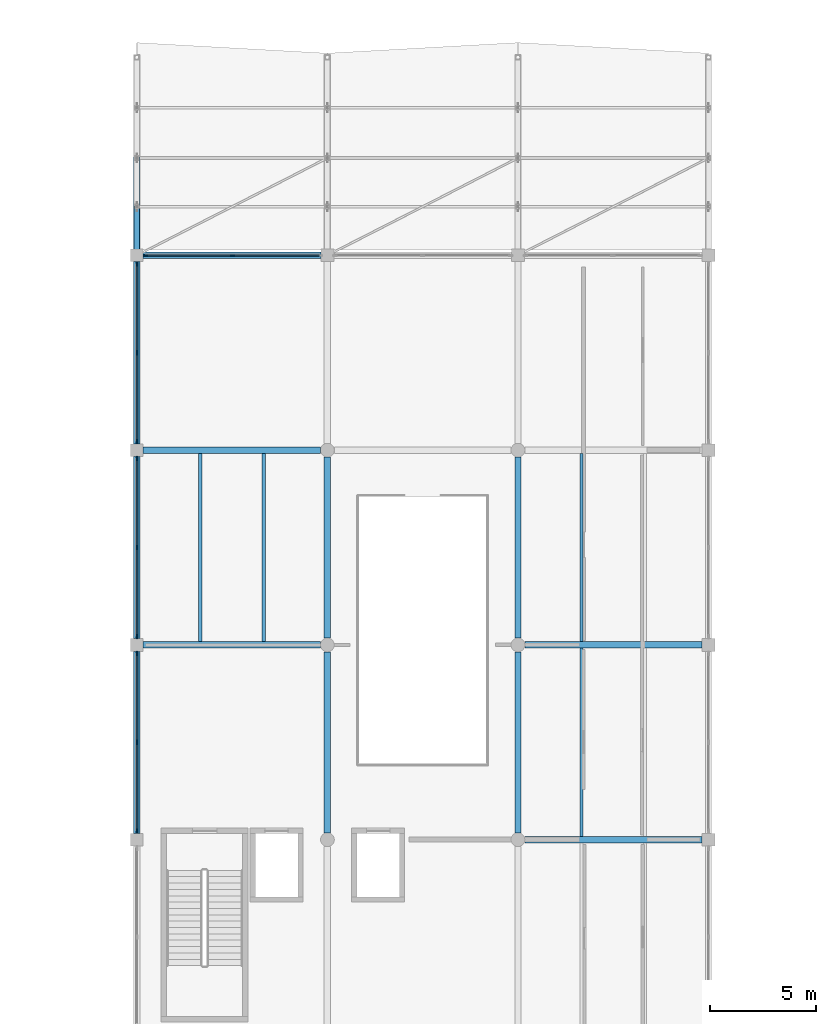
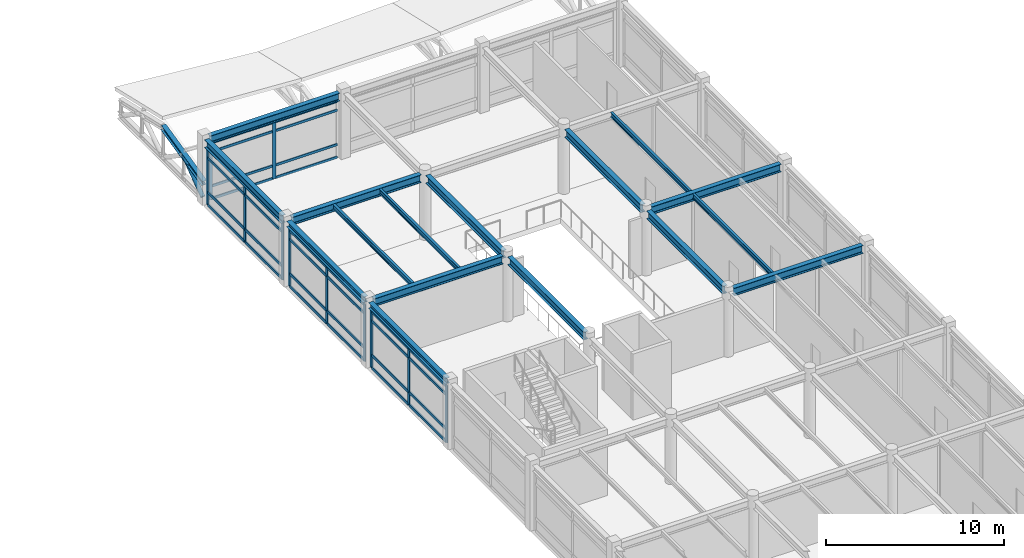
# One storey, part 23 of 61: 45 members, 16 beams, 4 elements without a shape of their own.
"""IFC4 building model written with IfcOpenShell, lengths in metres."""

from ifc_helpers import new_model, si_unit, direction, frame, origin, origin_2d, place, context, subcontext, project, spatial, rectangle, hollow_circle, i_section, extrude, material, material_profile, profile_set, type_object, element, aggregate, save


model = new_model("IFC4")

# Units and contexts
model_context = context("Model", 3, precision=1e-05, world=origin(), true_north=direction((0.0, 1.0)))
body_context = subcontext(model_context, "Body", "Model", "MODEL_VIEW")
ifc_project = project(units=[si_unit("LENGTHUNIT", "METRE"), si_unit("AREAUNIT", "SQUARE_METRE"), si_unit("VOLUMEUNIT", "CUBIC_METRE"), si_unit("PLANEANGLEUNIT", "RADIAN"), si_unit("MASSUNIT", "GRAM", prefix="KILO")], contexts=[model_context])

# Site, building, storey
site_placement = place(None, origin())
site = spatial("IfcSite", under=ifc_project, at=site_placement, CompositionType="ELEMENT")
building_placement = place(site_placement, origin())
building = spatial("IfcBuilding", under=site, at=building_placement, Name="Bozkorgan Art Gallery", CompositionType="ELEMENT")
storey_placement = place(building_placement, frame((0.0, 0.0, 10.199951171875)))
storey = spatial("IfcBuildingStorey", under=building, at=storey_placement, Name="L02", CompositionType="ELEMENT", Elevation=10.199951171875)

# Beams
ifc_material_1 = material(Name="Steel S355J2", Category="steel")
ifc_material_profile_1 = material_profile(ifc_material_1, i_section(OverallWidth=0.300048828125, OverallDepth=0.5400390625, WebThickness=0.012451171875, FlangeThickness=0.02392578125, FilletRadius=0.027099609375, at=origin_2d()), Name="HEA 550")
ifc_profile_set_1 = profile_set([ifc_material_profile_1], Name="Steel S355J2")
beam_type_1 = type_object("IfcBeamType", Name="BEAM-BM-35", PredefinedType="BEAM", material=ifc_profile_set_1)
for number, where, z_axis, x_axis, name in (
    (1, (92.324951171875, 66.0, 4.2099609375), (1.0, 0.0, 0.0), (0.0, 1.0, 0.0), "V4 L02 beam X (92-101, 66.0)"),
    (2, (74.300048828125, 75.199951171875, 4.2099609375), (1.0, 0.0, 0.0), (0.0, 1.0, 0.0), "V4 L02 beam X (74-83, 75.2)"),
    (3, (92.324951171875, 75.199951171875, 4.2099609375), (1.0, 0.0, 0.0), (0.0, 1.0, 0.0), "V4 L02 beam X (92-101, 75.2)"),
    (4, (74.300048828125, 84.39990234375, 4.2099609375), (1.0, 0.0, 0.0), (0.0, 1.0, 0.0), "V4 L02 beam X (74-83, 84.4)"),
):
    element("IfcBeam", number, at=place(storey_placement, frame(where, z_axis=z_axis, x_axis=x_axis)), inside=storey, type_object=beam_type_1, Name=name, PredefinedType="BEAM", context=body_context, shape_type="SweptSolid", body=[
        extrude(i_section(OverallWidth=0.300048828125, OverallDepth=0.5400390625, WebThickness=0.012451171875, FlangeThickness=0.02392578125, FilletRadius=0.027099609375, at=origin_2d()), origin(), (0.0, 0.0, 1.0), 8.375),
    ])
beam_1_placement = place(storey_placement, frame((74.300048828125, 93.60009765625, 4.2099609375), z_axis=(1.0, 0.0, 0.0), x_axis=(0.0, 1.0, 0.0)))
element("IfcBeam", 5, at=beam_1_placement, inside=storey, type_object=beam_type_1, Name="V4 L02 beam X (74-83, 93.6)", PredefinedType="BEAM", context=body_context, shape_type="SweptSolid", body=[
    extrude(i_section(OverallWidth=0.300048828125, OverallDepth=0.5400390625, WebThickness=0.012451171875, FlangeThickness=0.02392578125, FilletRadius=0.027099609375, at=origin_2d()), origin(), (0.0, 0.0, 1.0), 8.39990234375),
])
beam_2_placement = place(storey_placement, frame((74.0, 84.699951171875, 4.2099609375), z_axis=(0.0, 1.0, 0.0), x_axis=(-1.0, 0.0, 0.0)))
element("IfcBeam", 6, at=beam_2_placement, inside=storey, type_object=beam_type_1, Name="V4 L02 beam Y (74, 84.4-93.6)", PredefinedType="BEAM", context=body_context, shape_type="SweptSolid", body=[
    extrude(i_section(OverallWidth=0.300048828125, OverallDepth=0.5400390625, WebThickness=0.012451171875, FlangeThickness=0.02392578125, FilletRadius=0.027099609375, at=origin_2d()), origin(), (0.0, 0.0, 1.0), 8.60009765625),
])
for number, where, z_axis, x_axis, name in (
    (7, (83.0, 66.324951171875, 4.2099609375), (0.0, 1.0, 0.0), (-1.0, 0.0, 0.0), "V4 L02 beam Y (83, 66.0-75.2)"),
    (8, (83.0, 75.52490234375, 4.2099609375), (0.0, 1.0, 0.0), (-1.0, 0.0, 0.0), "V4 L02 beam Y (83, 75.2-84.4)"),
    (9, (92.0, 66.324951171875, 4.2099609375), (0.0, 1.0, 0.0), (-1.0, 0.0, 0.0), "V4 L02 beam Y (92, 66.0-75.2)"),
    (10, (92.0, 75.52490234375, 4.2099609375), (0.0, 1.0, 0.0), (-1.0, 0.0, 0.0), "V4 L02 beam Y (92, 75.2-84.4)"),
):
    element("IfcBeam", number, at=place(storey_placement, frame(where, z_axis=z_axis, x_axis=x_axis)), inside=storey, type_object=beam_type_1, Name=name, PredefinedType="BEAM", context=body_context, shape_type="SweptSolid", body=[
        extrude(i_section(OverallWidth=0.300048828125, OverallDepth=0.5400390625, WebThickness=0.012451171875, FlangeThickness=0.02392578125, FilletRadius=0.027099609375, at=origin_2d()), origin(), (0.0, 0.0, 1.0), 8.550048828125),
    ])
ifc_material_profile_2 = material_profile(ifc_material_1, i_section(OverallWidth=0.159912109375, OverallDepth=0.330078125, WebThickness=0.007568359375, FlangeThickness=0.011474609375, FilletRadius=0.01806640625, at=origin_2d()), Name="IPE 330")
ifc_profile_set_2 = profile_set([ifc_material_profile_2], Name="Steel S355J2")
beam_type_2 = type_object("IfcBeamType", Name="BEAM-JS-33", PredefinedType="JOIST", material=ifc_profile_set_2)
for number, where, z_axis, x_axis, name in (
    (11, (77.0, 75.35009765625, 4.31494140625), (0.0, 1.0, 0.0), (-1.0, 0.0, 0.0), "V4 L02 secondary joist (74-83, 75.2-84.4) #1"),
    (12, (80.0, 75.35009765625, 4.31494140625), (0.0, 1.0, 0.0), (-1.0, 0.0, 0.0), "V4 L02 secondary joist (74-83, 75.2-84.4) #2"),
):
    element("IfcBeam", number, at=place(storey_placement, frame(where, z_axis=z_axis, x_axis=x_axis)), inside=storey, type_object=beam_type_2, Name=name, PredefinedType="JOIST", context=body_context, shape_type="SweptSolid", body=[
        extrude(i_section(OverallWidth=0.159912109375, OverallDepth=0.330078125, WebThickness=0.007568359375, FlangeThickness=0.011474609375, FilletRadius=0.01806640625, at=origin_2d()), origin(), (0.0, 0.0, 1.0), 8.89990234375),
    ])
beam_3_placement = place(storey_placement, frame((95.0, 66.14990234375, 4.31494140625), z_axis=(0.0, 1.0, 0.0), x_axis=(-1.0, 0.0, 0.0)))
element("IfcBeam", 13, at=beam_3_placement, inside=storey, type_object=beam_type_2, Name="V4 L02 secondary joist (92-101, 66.0-75.2) #1", PredefinedType="JOIST", context=body_context, shape_type="SweptSolid", body=[
    extrude(i_section(OverallWidth=0.159912109375, OverallDepth=0.330078125, WebThickness=0.007568359375, FlangeThickness=0.011474609375, FilletRadius=0.01806640625, at=origin_2d()), origin(), (0.0, 0.0, 1.0), 8.900146484375),
])
beam_4_placement = place(storey_placement, frame((95.0, 75.35009765625, 4.31494140625), z_axis=(0.0, 1.0, 0.0), x_axis=(-1.0, 0.0, 0.0)))
element("IfcBeam", 14, at=beam_4_placement, inside=storey, type_object=beam_type_2, Name="V4 L02 secondary joist (92-101, 75.2-84.4) #1", PredefinedType="JOIST", context=body_context, shape_type="SweptSolid", body=[
    extrude(i_section(OverallWidth=0.159912109375, OverallDepth=0.330078125, WebThickness=0.007568359375, FlangeThickness=0.011474609375, FilletRadius=0.01806640625, at=origin_2d()), origin(), (0.0, 0.0, 1.0), 8.89990234375),
])
ifc_material_profile_3 = material_profile(ifc_material_1, i_section(OverallWidth=0.300048828125, OverallDepth=0.389892578125, WebThickness=0.010986328125, FlangeThickness=0.01904296875, FilletRadius=0.027099609375, at=origin_2d()), Name="HEA 400")
ifc_profile_set_3 = profile_set([ifc_material_profile_3], Name="Steel S355J2")
beam_type_3 = type_object("IfcBeamType", Name="BEAM-SP-65", PredefinedType="SPANDREL", material=ifc_profile_set_3)
beam_5_placement = place(storey_placement, frame((74.0, 66.300048828125, 4.28515625), z_axis=(0.0, 1.0, 0.0), x_axis=(-1.0, 0.0, 0.0)))
element("IfcBeam", 15, at=beam_5_placement, inside=storey, type_object=beam_type_3, Name="V4 L02 spandrel Y (74, 66.0-75.2)", PredefinedType="SPANDREL", context=body_context, shape_type="SweptSolid", body=[
    extrude(i_section(OverallWidth=0.300048828125, OverallDepth=0.389892578125, WebThickness=0.010986328125, FlangeThickness=0.01904296875, FilletRadius=0.027099609375, at=origin_2d()), origin(), (0.0, 0.0, 1.0), 8.599853515625),
])
beam_6_placement = place(storey_placement, frame((74.0, 75.5, 4.28515625), z_axis=(0.0, 1.0, 0.0), x_axis=(-1.0, 0.0, 0.0)))
element("IfcBeam", 16, at=beam_6_placement, inside=storey, type_object=beam_type_3, Name="V4 L02 spandrel Y (74, 75.2-84.4)", PredefinedType="SPANDREL", context=body_context, shape_type="SweptSolid", body=[
    extrude(i_section(OverallWidth=0.300048828125, OverallDepth=0.389892578125, WebThickness=0.010986328125, FlangeThickness=0.01904296875, FilletRadius=0.027099609375, at=origin_2d()), origin(), (0.0, 0.0, 1.0), 8.60009765625),
])

# Curtain wall, members
ifc_material_2 = material(Name="Anodised Bronze Aluminium", Category="aluminium")
curtain_wall_type_1 = type_object("IfcCurtainWallType", Name="CW-CW-65", PredefinedType="NOTDEFINED", material=ifc_material_2)
curtain_wall_1_placement = place(storey_placement, origin())
curtain_wall_1 = element("IfcCurtainWall", 17, at=curtain_wall_1_placement, inside=storey, type_object=curtain_wall_type_1, Name="L02 unitised curtain wall CW-V4-L02-1N-02", PredefinedType="NOTDEFINED")
ifc_material_profile_4 = material_profile(ifc_material_2, rectangle(XDim=0.074951171875, YDim=0.219970703125, at=origin_2d()), Name="ALU MULLION 75x220")
ifc_profile_set_4 = profile_set([ifc_material_profile_4], Name="Anodised Bronze Aluminium")
member_type_1 = type_object("IfcMemberType", Name="CWM-02", PredefinedType="MULLION", material=ifc_profile_set_4)
member_1_placement = place(storey_placement, frame((74.402587890625, 93.60009765625, 0.02001953125), z_axis=(0.0, 0.0, 1.0), x_axis=(0.0, 1.0, 0.0)))
member_1 = element("IfcMember", 18, at=member_1_placement, type_object=member_type_1, Name="CW-65 mullion 1", PredefinedType="MULLION", context=body_context, shape_type="SweptSolid", body=[
    extrude(rectangle(XDim=0.074951171875, YDim=0.219970703125, at=origin_2d()), origin(), (0.0, 0.0, 1.0), 3.905029296875),
])
member_2_placement = place(storey_placement, frame((78.52490234375, 93.60009765625, 0.02001953125), z_axis=(0.0, 0.0, 1.0), x_axis=(0.0, 1.0, 0.0)))
member_2 = element("IfcMember", 19, at=member_2_placement, type_object=member_type_1, Name="CW-65 mullion 2", PredefinedType="MULLION", context=body_context, shape_type="SweptSolid", body=[
    extrude(rectangle(XDim=0.074951171875, YDim=0.219970703125, at=origin_2d()), origin(), (0.0, 0.0, 1.0), 3.905029296875),
])

curtain_wall_type_2 = type_object("IfcCurtainWallType", Name="CW-CW-99", PredefinedType="NOTDEFINED", material=ifc_material_2)
curtain_wall_2_placement = place(storey_placement, origin())
curtain_wall_2 = element("IfcCurtainWall", 20, at=curtain_wall_2_placement, inside=storey, type_object=curtain_wall_type_2, Name="L02 unitised curtain wall CW-V4-L02-1W-13", PredefinedType="NOTDEFINED")
member_3_placement = place(storey_placement, frame((74.0, 66.402587890625, 0.02001953125), z_axis=(0.0, 0.0, 1.0), x_axis=(-1.0, 0.0, 0.0)))
member_3 = element("IfcMember", 21, at=member_3_placement, type_object=member_type_1, Name="CW-99 mullion 1", PredefinedType="MULLION", context=body_context, shape_type="SweptSolid", body=[
    extrude(rectangle(XDim=0.074951171875, YDim=0.219970703125, at=origin_2d()), origin(), (0.0, 0.0, 1.0), 3.905029296875),
])
member_4_placement = place(storey_placement, frame((74.0, 70.60009765625, 0.02001953125), z_axis=(0.0, 0.0, 1.0), x_axis=(-1.0, 0.0, 0.0)))
member_4 = element("IfcMember", 22, at=member_4_placement, type_object=member_type_1, Name="CW-99 mullion 2", PredefinedType="MULLION", context=body_context, shape_type="SweptSolid", body=[
    extrude(rectangle(XDim=0.074951171875, YDim=0.219970703125, at=origin_2d()), origin(), (0.0, 0.0, 1.0), 3.905029296875),
])
member_5_placement = place(storey_placement, frame((74.0, 74.797607421875, 0.02001953125), z_axis=(0.0, 0.0, 1.0), x_axis=(-1.0, 0.0, 0.0)))
member_5 = element("IfcMember", 23, at=member_5_placement, type_object=member_type_1, Name="CW-99 mullion 3", PredefinedType="MULLION", context=body_context, shape_type="SweptSolid", body=[
    extrude(rectangle(XDim=0.074951171875, YDim=0.219970703125, at=origin_2d()), origin(), (0.0, 0.0, 1.0), 3.905029296875),
])

curtain_wall_3_placement = place(storey_placement, origin())
curtain_wall_3 = element("IfcCurtainWall", 24, at=curtain_wall_3_placement, inside=storey, type_object=curtain_wall_type_2, Name="L02 unitised curtain wall CW-V4-L02-1W-15", PredefinedType="NOTDEFINED")
member_6_placement = place(storey_placement, frame((74.0, 75.6025390625, 0.02001953125), z_axis=(0.0, 0.0, 1.0), x_axis=(-1.0, 0.0, 0.0)))
member_6 = element("IfcMember", 25, at=member_6_placement, type_object=member_type_1, Name="CW-99 mullion 1", PredefinedType="MULLION", context=body_context, shape_type="SweptSolid", body=[
    extrude(rectangle(XDim=0.074951171875, YDim=0.219970703125, at=origin_2d()), origin(), (0.0, 0.0, 1.0), 3.905029296875),
])
member_7_placement = place(storey_placement, frame((74.0, 79.800048828125, 0.02001953125), z_axis=(0.0, 0.0, 1.0), x_axis=(-1.0, 0.0, 0.0)))
member_7 = element("IfcMember", 26, at=member_7_placement, type_object=member_type_1, Name="CW-99 mullion 2", PredefinedType="MULLION", context=body_context, shape_type="SweptSolid", body=[
    extrude(rectangle(XDim=0.074951171875, YDim=0.219970703125, at=origin_2d()), origin(), (0.0, 0.0, 1.0), 3.905029296875),
])
member_8_placement = place(storey_placement, frame((74.0, 83.99755859375, 0.02001953125), z_axis=(0.0, 0.0, 1.0), x_axis=(-1.0, 0.0, 0.0)))
member_8 = element("IfcMember", 27, at=member_8_placement, type_object=member_type_1, Name="CW-99 mullion 3", PredefinedType="MULLION", context=body_context, shape_type="SweptSolid", body=[
    extrude(rectangle(XDim=0.074951171875, YDim=0.219970703125, at=origin_2d()), origin(), (0.0, 0.0, 1.0), 3.905029296875),
])

curtain_wall_4_placement = place(storey_placement, origin())
curtain_wall_4 = element("IfcCurtainWall", 28, at=curtain_wall_4_placement, inside=storey, type_object=curtain_wall_type_2, Name="L02 unitised curtain wall CW-V4-L02-1W-17", PredefinedType="NOTDEFINED")
member_9_placement = place(storey_placement, frame((74.0, 84.802490234375, 0.02001953125), z_axis=(0.0, 0.0, 1.0), x_axis=(-1.0, 0.0, 0.0)))
member_9 = element("IfcMember", 29, at=member_9_placement, type_object=member_type_1, Name="CW-99 mullion 1", PredefinedType="MULLION", context=body_context, shape_type="SweptSolid", body=[
    extrude(rectangle(XDim=0.074951171875, YDim=0.219970703125, at=origin_2d()), origin(), (0.0, 0.0, 1.0), 3.905029296875),
])
member_10_placement = place(storey_placement, frame((74.0, 89.0, 0.02001953125), z_axis=(0.0, 0.0, 1.0), x_axis=(-1.0, 0.0, 0.0)))
member_10 = element("IfcMember", 30, at=member_10_placement, type_object=member_type_1, Name="CW-99 mullion 2", PredefinedType="MULLION", context=body_context, shape_type="SweptSolid", body=[
    extrude(rectangle(XDim=0.074951171875, YDim=0.219970703125, at=origin_2d()), origin(), (0.0, 0.0, 1.0), 3.905029296875),
])
member_11_placement = place(storey_placement, frame((74.0, 93.197509765625, 0.02001953125), z_axis=(0.0, 0.0, 1.0), x_axis=(-1.0, 0.0, 0.0)))
member_11 = element("IfcMember", 31, at=member_11_placement, type_object=member_type_1, Name="CW-99 mullion 3", PredefinedType="MULLION", context=body_context, shape_type="SweptSolid", body=[
    extrude(rectangle(XDim=0.074951171875, YDim=0.219970703125, at=origin_2d()), origin(), (0.0, 0.0, 1.0), 3.905029296875),
])

# Member
ifc_material_profile_5 = material_profile(ifc_material_2, rectangle(XDim=0.074951171875, YDim=0.169921875, at=origin_2d()), Name="ALU TRANSOM 75x170")
ifc_profile_set_5 = profile_set([ifc_material_profile_5], Name="Anodised Bronze Aluminium")
member_type_2 = type_object("IfcMemberType", Name="CWT-02", PredefinedType="USERDEFINED", material=ifc_profile_set_5)
member_12_placement = place(storey_placement, frame((74.43994140625, 93.60009765625, 0.0576171875), z_axis=(1.0, 0.0, 0.0), x_axis=(0.0, 1.0, 0.0)))
member_12 = element("IfcMember", 32, at=member_12_placement, type_object=member_type_2, Name="CW-65 transom 1.1", ObjectType="TRANSOM", PredefinedType="USERDEFINED", context=body_context, shape_type="SweptSolid", body=[
    extrude(rectangle(XDim=0.074951171875, YDim=0.169921875, at=origin_2d()), origin(), (0.0, 0.0, 1.0), 4.047607421875),
])

member_13_placement = place(storey_placement, frame((74.43994140625, 93.60009765625, 0.920166015625), z_axis=(1.0, 0.0, 0.0), x_axis=(0.0, 1.0, 0.0)))
member_13 = element("IfcMember", 33, at=member_13_placement, type_object=member_type_2, Name="CW-65 transom 1.2", ObjectType="TRANSOM", PredefinedType="USERDEFINED", context=body_context, shape_type="SweptSolid", body=[
    extrude(rectangle(XDim=0.074951171875, YDim=0.169921875, at=origin_2d()), origin(), (0.0, 0.0, 1.0), 4.047607421875),
])

member_14_placement = place(storey_placement, frame((74.43994140625, 93.60009765625, 3.275146484375), z_axis=(1.0, 0.0, 0.0), x_axis=(0.0, 1.0, 0.0)))
member_14 = element("IfcMember", 34, at=member_14_placement, type_object=member_type_2, Name="CW-65 transom 1.3", ObjectType="TRANSOM", PredefinedType="USERDEFINED", context=body_context, shape_type="SweptSolid", body=[
    extrude(rectangle(XDim=0.074951171875, YDim=0.169921875, at=origin_2d()), origin(), (0.0, 0.0, 1.0), 4.047607421875),
])

member_15_placement = place(storey_placement, frame((74.43994140625, 93.60009765625, 3.887451171875), z_axis=(1.0, 0.0, 0.0), x_axis=(0.0, 1.0, 0.0)))
member_15 = element("IfcMember", 35, at=member_15_placement, type_object=member_type_2, Name="CW-65 transom 1.4", ObjectType="TRANSOM", PredefinedType="USERDEFINED", context=body_context, shape_type="SweptSolid", body=[
    extrude(rectangle(XDim=0.074951171875, YDim=0.169921875, at=origin_2d()), origin(), (0.0, 0.0, 1.0), 4.047607421875),
])

member_16_placement = place(storey_placement, frame((78.5625, 93.60009765625, 0.0576171875), z_axis=(1.0, 0.0, 0.0), x_axis=(0.0, 1.0, 0.0)))
member_16 = element("IfcMember", 36, at=member_16_placement, type_object=member_type_2, Name="CW-65 transom 2.1", ObjectType="TRANSOM", PredefinedType="USERDEFINED", context=body_context, shape_type="SweptSolid", body=[
    extrude(rectangle(XDim=0.074951171875, YDim=0.169921875, at=origin_2d()), origin(), (0.0, 0.0, 1.0), 4.047607421875),
])

member_17_placement = place(storey_placement, frame((78.5625, 93.60009765625, 0.920166015625), z_axis=(1.0, 0.0, 0.0), x_axis=(0.0, 1.0, 0.0)))
member_17 = element("IfcMember", 37, at=member_17_placement, type_object=member_type_2, Name="CW-65 transom 2.2", ObjectType="TRANSOM", PredefinedType="USERDEFINED", context=body_context, shape_type="SweptSolid", body=[
    extrude(rectangle(XDim=0.074951171875, YDim=0.169921875, at=origin_2d()), origin(), (0.0, 0.0, 1.0), 4.047607421875),
])

member_18_placement = place(storey_placement, frame((78.5625, 93.60009765625, 3.275146484375), z_axis=(1.0, 0.0, 0.0), x_axis=(0.0, 1.0, 0.0)))
member_18 = element("IfcMember", 38, at=member_18_placement, type_object=member_type_2, Name="CW-65 transom 2.3", ObjectType="TRANSOM", PredefinedType="USERDEFINED", context=body_context, shape_type="SweptSolid", body=[
    extrude(rectangle(XDim=0.074951171875, YDim=0.169921875, at=origin_2d()), origin(), (0.0, 0.0, 1.0), 4.047607421875),
])

member_19_placement = place(storey_placement, frame((78.5625, 93.60009765625, 3.887451171875), z_axis=(1.0, 0.0, 0.0), x_axis=(0.0, 1.0, 0.0)))
member_19 = element("IfcMember", 39, at=member_19_placement, type_object=member_type_2, Name="CW-65 transom 2.4", ObjectType="TRANSOM", PredefinedType="USERDEFINED", context=body_context, shape_type="SweptSolid", body=[
    extrude(rectangle(XDim=0.074951171875, YDim=0.169921875, at=origin_2d()), origin(), (0.0, 0.0, 1.0), 4.047607421875),
])

aggregate(curtain_wall_1, [member_1, member_2, member_12, member_13, member_14, member_15, member_16, member_17, member_18, member_19])

ifc_material_profile_6 = material_profile(ifc_material_2, rectangle(XDim=0.080078125, YDim=0.199951171875, at=origin_2d()), Name="ALU TRANSOM 80x200")
ifc_profile_set_6 = profile_set([ifc_material_profile_6], Name="Anodised Bronze Aluminium")
member_type_3 = type_object("IfcMemberType", Name="CWT-03", PredefinedType="USERDEFINED", material=ifc_profile_set_6)
member_20_placement = place(storey_placement, frame((74.0, 66.43994140625, 0.06005859375), z_axis=(0.0, 1.0, 0.0), x_axis=(-1.0, 0.0, 0.0)))
member_20 = element("IfcMember", 40, at=member_20_placement, type_object=member_type_3, Name="CW-99 transom 1.1", ObjectType="TRANSOM", PredefinedType="USERDEFINED", context=body_context, shape_type="SweptSolid", body=[
    extrude(rectangle(XDim=0.080078125, YDim=0.199951171875, at=origin_2d()), origin(), (0.0, 0.0, 1.0), 4.12255859375),
])

member_21_placement = place(storey_placement, frame((74.0, 66.43994140625, 0.920166015625), z_axis=(0.0, 1.0, 0.0), x_axis=(-1.0, 0.0, 0.0)))
member_21 = element("IfcMember", 41, at=member_21_placement, type_object=member_type_3, Name="CW-99 transom 1.2", ObjectType="TRANSOM", PredefinedType="USERDEFINED", context=body_context, shape_type="SweptSolid", body=[
    extrude(rectangle(XDim=0.080078125, YDim=0.199951171875, at=origin_2d()), origin(), (0.0, 0.0, 1.0), 4.12255859375),
])

member_22_placement = place(storey_placement, frame((74.0, 66.43994140625, 3.275146484375), z_axis=(0.0, 1.0, 0.0), x_axis=(-1.0, 0.0, 0.0)))
member_22 = element("IfcMember", 42, at=member_22_placement, type_object=member_type_3, Name="CW-99 transom 1.3", ObjectType="TRANSOM", PredefinedType="USERDEFINED", context=body_context, shape_type="SweptSolid", body=[
    extrude(rectangle(XDim=0.080078125, YDim=0.199951171875, at=origin_2d()), origin(), (0.0, 0.0, 1.0), 4.12255859375),
])

member_23_placement = place(storey_placement, frame((74.0, 66.43994140625, 3.885009765625), z_axis=(0.0, 1.0, 0.0), x_axis=(-1.0, 0.0, 0.0)))
member_23 = element("IfcMember", 43, at=member_23_placement, type_object=member_type_3, Name="CW-99 transom 1.4", ObjectType="TRANSOM", PredefinedType="USERDEFINED", context=body_context, shape_type="SweptSolid", body=[
    extrude(rectangle(XDim=0.080078125, YDim=0.199951171875, at=origin_2d()), origin(), (0.0, 0.0, 1.0), 4.12255859375),
])

member_24_placement = place(storey_placement, frame((74.0, 70.637451171875, 0.06005859375), z_axis=(0.0, 1.0, 0.0), x_axis=(-1.0, 0.0, 0.0)))
member_24 = element("IfcMember", 44, at=member_24_placement, type_object=member_type_3, Name="CW-99 transom 2.1", ObjectType="TRANSOM", PredefinedType="USERDEFINED", context=body_context, shape_type="SweptSolid", body=[
    extrude(rectangle(XDim=0.080078125, YDim=0.199951171875, at=origin_2d()), origin(), (0.0, 0.0, 1.0), 4.12255859375),
])

member_25_placement = place(storey_placement, frame((74.0, 70.637451171875, 0.920166015625), z_axis=(0.0, 1.0, 0.0), x_axis=(-1.0, 0.0, 0.0)))
member_25 = element("IfcMember", 45, at=member_25_placement, type_object=member_type_3, Name="CW-99 transom 2.2", ObjectType="TRANSOM", PredefinedType="USERDEFINED", context=body_context, shape_type="SweptSolid", body=[
    extrude(rectangle(XDim=0.080078125, YDim=0.199951171875, at=origin_2d()), origin(), (0.0, 0.0, 1.0), 4.12255859375),
])

member_26_placement = place(storey_placement, frame((74.0, 70.637451171875, 3.275146484375), z_axis=(0.0, 1.0, 0.0), x_axis=(-1.0, 0.0, 0.0)))
member_26 = element("IfcMember", 46, at=member_26_placement, type_object=member_type_3, Name="CW-99 transom 2.3", ObjectType="TRANSOM", PredefinedType="USERDEFINED", context=body_context, shape_type="SweptSolid", body=[
    extrude(rectangle(XDim=0.080078125, YDim=0.199951171875, at=origin_2d()), origin(), (0.0, 0.0, 1.0), 4.12255859375),
])

member_27_placement = place(storey_placement, frame((74.0, 70.637451171875, 3.885009765625), z_axis=(0.0, 1.0, 0.0), x_axis=(-1.0, 0.0, 0.0)))
member_27 = element("IfcMember", 47, at=member_27_placement, type_object=member_type_3, Name="CW-99 transom 2.4", ObjectType="TRANSOM", PredefinedType="USERDEFINED", context=body_context, shape_type="SweptSolid", body=[
    extrude(rectangle(XDim=0.080078125, YDim=0.199951171875, at=origin_2d()), origin(), (0.0, 0.0, 1.0), 4.12255859375),
])

aggregate(curtain_wall_2, [member_3, member_4, member_5, member_20, member_21, member_22, member_23, member_24, member_25, member_26, member_27])

member_28_placement = place(storey_placement, frame((74.0, 75.639892578125, 0.06005859375), z_axis=(0.0, 1.0, 0.0), x_axis=(-1.0, 0.0, 0.0)))
member_28 = element("IfcMember", 48, at=member_28_placement, type_object=member_type_3, Name="CW-99 transom 1.1", ObjectType="TRANSOM", PredefinedType="USERDEFINED", context=body_context, shape_type="SweptSolid", body=[
    extrude(rectangle(XDim=0.080078125, YDim=0.199951171875, at=origin_2d()), origin(), (0.0, 0.0, 1.0), 4.12255859375),
])

member_29_placement = place(storey_placement, frame((74.0, 75.639892578125, 0.920166015625), z_axis=(0.0, 1.0, 0.0), x_axis=(-1.0, 0.0, 0.0)))
member_29 = element("IfcMember", 49, at=member_29_placement, type_object=member_type_3, Name="CW-99 transom 1.2", ObjectType="TRANSOM", PredefinedType="USERDEFINED", context=body_context, shape_type="SweptSolid", body=[
    extrude(rectangle(XDim=0.080078125, YDim=0.199951171875, at=origin_2d()), origin(), (0.0, 0.0, 1.0), 4.12255859375),
])

member_30_placement = place(storey_placement, frame((74.0, 75.639892578125, 3.275146484375), z_axis=(0.0, 1.0, 0.0), x_axis=(-1.0, 0.0, 0.0)))
member_30 = element("IfcMember", 50, at=member_30_placement, type_object=member_type_3, Name="CW-99 transom 1.3", ObjectType="TRANSOM", PredefinedType="USERDEFINED", context=body_context, shape_type="SweptSolid", body=[
    extrude(rectangle(XDim=0.080078125, YDim=0.199951171875, at=origin_2d()), origin(), (0.0, 0.0, 1.0), 4.12255859375),
])

member_31_placement = place(storey_placement, frame((74.0, 75.639892578125, 3.885009765625), z_axis=(0.0, 1.0, 0.0), x_axis=(-1.0, 0.0, 0.0)))
member_31 = element("IfcMember", 51, at=member_31_placement, type_object=member_type_3, Name="CW-99 transom 1.4", ObjectType="TRANSOM", PredefinedType="USERDEFINED", context=body_context, shape_type="SweptSolid", body=[
    extrude(rectangle(XDim=0.080078125, YDim=0.199951171875, at=origin_2d()), origin(), (0.0, 0.0, 1.0), 4.12255859375),
])

member_32_placement = place(storey_placement, frame((74.0, 79.83740234375, 0.06005859375), z_axis=(0.0, 1.0, 0.0), x_axis=(-1.0, 0.0, 0.0)))
member_32 = element("IfcMember", 52, at=member_32_placement, type_object=member_type_3, Name="CW-99 transom 2.1", ObjectType="TRANSOM", PredefinedType="USERDEFINED", context=body_context, shape_type="SweptSolid", body=[
    extrude(rectangle(XDim=0.080078125, YDim=0.199951171875, at=origin_2d()), origin(), (0.0, 0.0, 1.0), 4.12255859375),
])

member_33_placement = place(storey_placement, frame((74.0, 79.83740234375, 0.920166015625), z_axis=(0.0, 1.0, 0.0), x_axis=(-1.0, 0.0, 0.0)))
member_33 = element("IfcMember", 53, at=member_33_placement, type_object=member_type_3, Name="CW-99 transom 2.2", ObjectType="TRANSOM", PredefinedType="USERDEFINED", context=body_context, shape_type="SweptSolid", body=[
    extrude(rectangle(XDim=0.080078125, YDim=0.199951171875, at=origin_2d()), origin(), (0.0, 0.0, 1.0), 4.12255859375),
])

member_34_placement = place(storey_placement, frame((74.0, 79.83740234375, 3.275146484375), z_axis=(0.0, 1.0, 0.0), x_axis=(-1.0, 0.0, 0.0)))
member_34 = element("IfcMember", 54, at=member_34_placement, type_object=member_type_3, Name="CW-99 transom 2.3", ObjectType="TRANSOM", PredefinedType="USERDEFINED", context=body_context, shape_type="SweptSolid", body=[
    extrude(rectangle(XDim=0.080078125, YDim=0.199951171875, at=origin_2d()), origin(), (0.0, 0.0, 1.0), 4.12255859375),
])

member_35_placement = place(storey_placement, frame((74.0, 79.83740234375, 3.885009765625), z_axis=(0.0, 1.0, 0.0), x_axis=(-1.0, 0.0, 0.0)))
member_35 = element("IfcMember", 55, at=member_35_placement, type_object=member_type_3, Name="CW-99 transom 2.4", ObjectType="TRANSOM", PredefinedType="USERDEFINED", context=body_context, shape_type="SweptSolid", body=[
    extrude(rectangle(XDim=0.080078125, YDim=0.199951171875, at=origin_2d()), origin(), (0.0, 0.0, 1.0), 4.12255859375),
])

aggregate(curtain_wall_3, [member_6, member_7, member_8, member_28, member_29, member_30, member_31, member_32, member_33, member_34, member_35])

member_36_placement = place(storey_placement, frame((74.0, 84.840087890625, 0.06005859375), z_axis=(0.0, 1.0, 0.0), x_axis=(-1.0, 0.0, 0.0)))
member_36 = element("IfcMember", 56, at=member_36_placement, type_object=member_type_3, Name="CW-99 transom 1.1", ObjectType="TRANSOM", PredefinedType="USERDEFINED", context=body_context, shape_type="SweptSolid", body=[
    extrude(rectangle(XDim=0.080078125, YDim=0.199951171875, at=origin_2d()), origin(), (0.0, 0.0, 1.0), 4.122314453125),
])

member_37_placement = place(storey_placement, frame((74.0, 84.840087890625, 0.920166015625), z_axis=(0.0, 1.0, 0.0), x_axis=(-1.0, 0.0, 0.0)))
member_37 = element("IfcMember", 57, at=member_37_placement, type_object=member_type_3, Name="CW-99 transom 1.2", ObjectType="TRANSOM", PredefinedType="USERDEFINED", context=body_context, shape_type="SweptSolid", body=[
    extrude(rectangle(XDim=0.080078125, YDim=0.199951171875, at=origin_2d()), origin(), (0.0, 0.0, 1.0), 4.122314453125),
])

member_38_placement = place(storey_placement, frame((74.0, 84.840087890625, 3.275146484375), z_axis=(0.0, 1.0, 0.0), x_axis=(-1.0, 0.0, 0.0)))
member_38 = element("IfcMember", 58, at=member_38_placement, type_object=member_type_3, Name="CW-99 transom 1.3", ObjectType="TRANSOM", PredefinedType="USERDEFINED", context=body_context, shape_type="SweptSolid", body=[
    extrude(rectangle(XDim=0.080078125, YDim=0.199951171875, at=origin_2d()), origin(), (0.0, 0.0, 1.0), 4.122314453125),
])

member_39_placement = place(storey_placement, frame((74.0, 84.840087890625, 3.885009765625), z_axis=(0.0, 1.0, 0.0), x_axis=(-1.0, 0.0, 0.0)))
member_39 = element("IfcMember", 59, at=member_39_placement, type_object=member_type_3, Name="CW-99 transom 1.4", ObjectType="TRANSOM", PredefinedType="USERDEFINED", context=body_context, shape_type="SweptSolid", body=[
    extrude(rectangle(XDim=0.080078125, YDim=0.199951171875, at=origin_2d()), origin(), (0.0, 0.0, 1.0), 4.122314453125),
])

member_40_placement = place(storey_placement, frame((74.0, 89.03759765625, 0.06005859375), z_axis=(0.0, 1.0, 0.0), x_axis=(-1.0, 0.0, 0.0)))
member_40 = element("IfcMember", 60, at=member_40_placement, type_object=member_type_3, Name="CW-99 transom 2.1", ObjectType="TRANSOM", PredefinedType="USERDEFINED", context=body_context, shape_type="SweptSolid", body=[
    extrude(rectangle(XDim=0.080078125, YDim=0.199951171875, at=origin_2d()), origin(), (0.0, 0.0, 1.0), 4.122314453125),
])

member_41_placement = place(storey_placement, frame((74.0, 89.03759765625, 0.920166015625), z_axis=(0.0, 1.0, 0.0), x_axis=(-1.0, 0.0, 0.0)))
member_41 = element("IfcMember", 61, at=member_41_placement, type_object=member_type_3, Name="CW-99 transom 2.2", ObjectType="TRANSOM", PredefinedType="USERDEFINED", context=body_context, shape_type="SweptSolid", body=[
    extrude(rectangle(XDim=0.080078125, YDim=0.199951171875, at=origin_2d()), origin(), (0.0, 0.0, 1.0), 4.122314453125),
])

member_42_placement = place(storey_placement, frame((74.0, 89.03759765625, 3.275146484375), z_axis=(0.0, 1.0, 0.0), x_axis=(-1.0, 0.0, 0.0)))
member_42 = element("IfcMember", 62, at=member_42_placement, type_object=member_type_3, Name="CW-99 transom 2.3", ObjectType="TRANSOM", PredefinedType="USERDEFINED", context=body_context, shape_type="SweptSolid", body=[
    extrude(rectangle(XDim=0.080078125, YDim=0.199951171875, at=origin_2d()), origin(), (0.0, 0.0, 1.0), 4.122314453125),
])

member_43_placement = place(storey_placement, frame((74.0, 89.03759765625, 3.885009765625), z_axis=(0.0, 1.0, 0.0), x_axis=(-1.0, 0.0, 0.0)))
member_43 = element("IfcMember", 63, at=member_43_placement, type_object=member_type_3, Name="CW-99 transom 2.4", ObjectType="TRANSOM", PredefinedType="USERDEFINED", context=body_context, shape_type="SweptSolid", body=[
    extrude(rectangle(XDim=0.080078125, YDim=0.199951171875, at=origin_2d()), origin(), (0.0, 0.0, 1.0), 4.122314453125),
])

aggregate(curtain_wall_4, [member_9, member_10, member_11, member_36, member_37, member_38, member_39, member_40, member_41, member_42, member_43])

# Members
ifc_material_profile_7 = material_profile(ifc_material_1, i_section(OverallWidth=0.300048828125, OverallDepth=0.35009765625, WebThickness=0.010009765625, FlangeThickness=0.017578125, FilletRadius=0.027099609375, at=origin_2d()), Name="HEA 360")
ifc_profile_set_7 = profile_set([ifc_material_profile_7], Name="Steel S355J2")
member_type_4 = type_object("IfcMemberType", Name="MEMBER-TC-31", PredefinedType="CHORD", material=ifc_profile_set_7)
member_44_placement = place(storey_placement, frame((74.0, 93.60009765625, 1.285400390625), z_axis=(0.0, 0.974367656999, 0.224961483358), x_axis=(-1.0, 0.0, 0.0)))
element("IfcMember", 64, at=member_44_placement, inside=storey, type_object=member_type_4, Name="ROOF-V4-STEP2 roof truss 1 south top chord", PredefinedType="CHORD", context=body_context, shape_type="SweptSolid", body=[
    extrude(i_section(OverallWidth=0.300048828125, OverallDepth=0.35009765625, WebThickness=0.010009765625, FlangeThickness=0.017578125, FilletRadius=0.027099609375, at=origin_2d()), origin(), (0.0, 0.0, 1.0), 4.720947265625),
])
ifc_material_profile_8 = material_profile(ifc_material_1, hollow_circle(Radius=0.136474609375, WallThickness=0.012451171875, at=origin_2d()), Name="CHS 273x12.5")
ifc_profile_set_8 = profile_set([ifc_material_profile_8], Name="Steel S355J2")
member_type_5 = type_object("IfcMemberType", Name="MEMBER-TW-28", PredefinedType="BRACE", material=ifc_profile_set_8)
member_45_placement = place(storey_placement, frame((74.0, 93.75, 0.25), z_axis=(0.0, 0.808227759707, 0.588870009798), x_axis=(-1.0, 0.0, 0.0)))
element("IfcMember", 65, at=member_45_placement, inside=storey, type_object=member_type_5, Name="ROOF-V4-STEP2 roof truss 1 diagonal 1", PredefinedType="BRACE", context=body_context, shape_type="SweptSolid", body=[
    extrude(hollow_circle(Radius=0.136474609375, WallThickness=0.012451171875, at=origin_2d()), origin(), (0.0, 0.0, 1.0), 2.659912109375),
])

save(model, "model.ifc")
